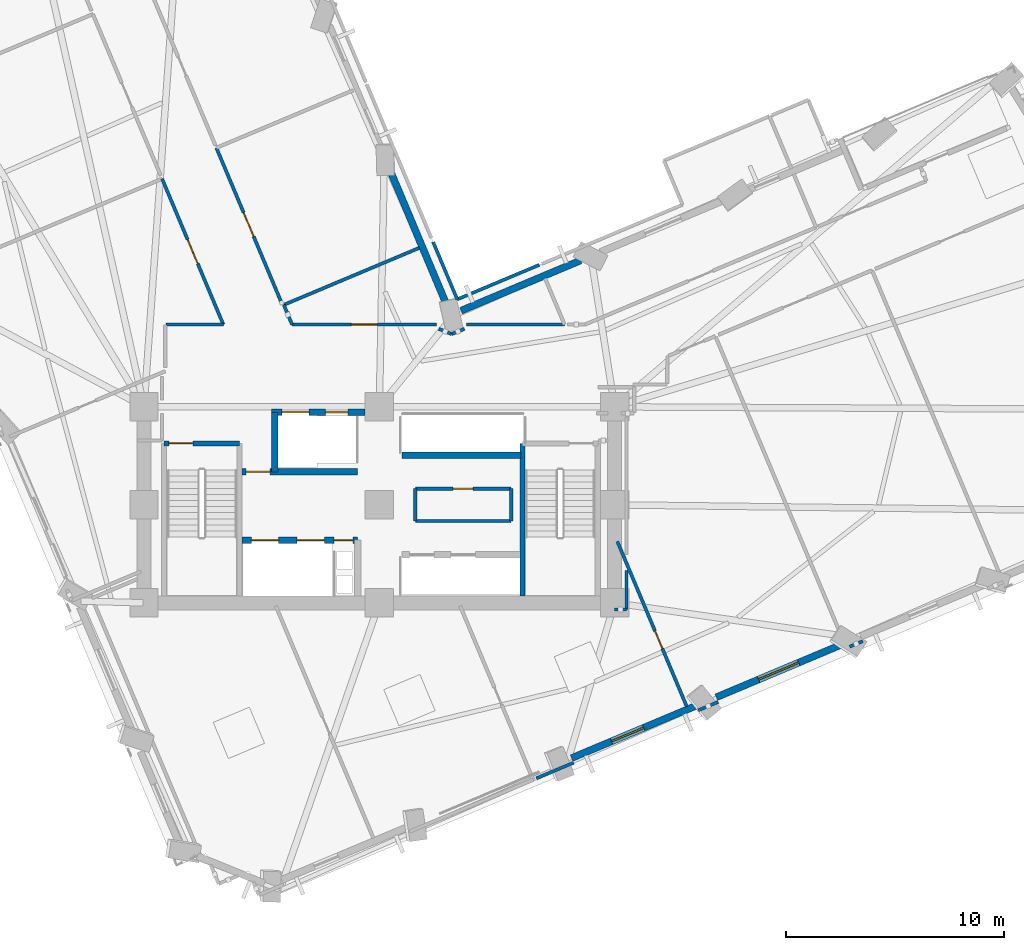
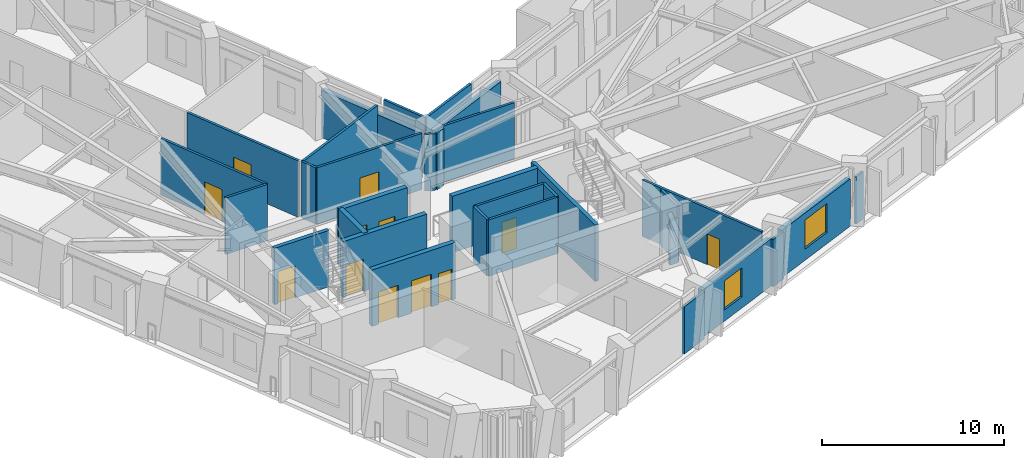
# One storey, part 11 of 18: 32 walls, 12 doors, 2 windows, 14 openings.
"""IFC4 building model written with IfcOpenShell, lengths in metres."""

from ifc_helpers import new_model, si_unit, direction, frame, frame_2d, origin, place, context, subcontext, project, spatial, rectangle, extrude, material, layer, layer_set, type_object, element, fill, save


model = new_model("IFC4")

# Units and contexts
model_context = context("Model", 3, precision=1e-05, world=origin(), true_north=direction((0.0, 1.0)))
body_context = subcontext(model_context, "Body", "Model", "MODEL_VIEW")
ifc_project = project(units=[si_unit("LENGTHUNIT", "METRE"), si_unit("AREAUNIT", "SQUARE_METRE"), si_unit("VOLUMEUNIT", "CUBIC_METRE"), si_unit("PLANEANGLEUNIT", "RADIAN"), si_unit("MASSUNIT", "GRAM", prefix="KILO")], contexts=[model_context])

# Site, building, storey
site_placement = place(None, origin())
site = spatial("IfcSite", under=ifc_project, at=site_placement, CompositionType="ELEMENT")
building_placement = place(site_placement, origin())
building = spatial("IfcBuilding", under=site, at=building_placement, Name="Gaonmaruhae Medical Tower", CompositionType="ELEMENT")
storey_placement = place(building_placement, frame((0.0, 0.0, 120.39990234375)))
storey = spatial("IfcBuildingStorey", under=building, at=storey_placement, Name="L28", CompositionType="ELEMENT", Elevation=120.39990234375)

# Wall, opening, window
ifc_material_1 = material(Name="Precast concrete C45/55", Category="concrete")
ifc_layer_1 = layer(ifc_material_1, 0.320068359375)
ifc_layer_set_1 = layer_set([ifc_layer_1], Name="Precast concrete C45/55")
wall_type_1 = type_object("IfcWallType", Name="EW-320 Lower Precast Masonry-Frame Facade Wall", PredefinedType="SOLIDWALL", material=ifc_layer_set_1)
wall_1_placement = place(storey_placement, frame((39.354248046875, 3.0830078125, 0.0), z_axis=(0.0, 0.0, 1.0), x_axis=(-0.921860032261, -0.387523006956, 0.0)))
wall_1 = element("IfcWall", 1, at=wall_1_placement, inside=storey, type_object=wall_type_1, Name="L28 Precast Masonry-Frame Wall S03-S04", PredefinedType="SOLIDWALL", context=body_context, shape_type="SweptSolid", body=[
    extrude(rectangle(XDim=6.21435546875, YDim=0.320068359375, at=frame_2d((3.107177734375, 0.0))), origin(), (0.0, 0.0, 1.0), 3.1650390625),
])
opening_1_placement = place(wall_1_placement, frame((2.622314453125, 0.0, 0.75)))
opening_1 = element("IfcOpeningElement", 2, at=opening_1_placement, cuts=wall_1, Name="Opening WN-01", PredefinedType="OPENING", context=body_context, shape_type="SweptSolid", body=[
    extrude(rectangle(XDim=1.60009765625, YDim=1.949951171875, at=frame_2d((0.800048828125, 0.97509765625))), frame((0.0, 0.169921875, 0.0), z_axis=(0.0, -1.0, 0.0), x_axis=(1.0, 0.0, 0.0)), (0.0, 0.0, 1.0), 0.340087890625),
])
ifc_material_2 = material(Name="Anodised aluminium and Low-E double glazing", Category="aluminium")
window_type_1 = type_object("IfcWindowType", Name="WN-01 Ward Punched Acoustic Window 1600x1950", PartitioningType="SINGLE_PANEL", PredefinedType="WINDOW", material=ifc_material_2)
window_1_placement = place(opening_1_placement, origin())
window_1 = element("IfcWindow", 3, at=window_1_placement, inside=storey, type_object=window_type_1, Name="L28 Modular Facade Window S03", OverallHeight=1.949951171875, OverallWidth=1.60009765625, PartitioningType="SINGLE_PANEL", PredefinedType="WINDOW", context=body_context, shape_type="SweptSolid", body=[
    extrude(rectangle(XDim=1.60009765625, YDim=1.949951171875, at=frame_2d((0.800048828125, 0.97509765625))), frame((0.0, 0.030029296875, 0.0), z_axis=(0.0, -1.0, 0.0), x_axis=(1.0, 0.0, 0.0)), (0.0, 0.0, 1.0), 0.06005859375),
])
fill(opening_1, window_1)

wall_2_placement = place(storey_placement, frame((45.9921875, 5.873291015625, 0.0), z_axis=(0.0, 0.0, 1.0), x_axis=(-0.921868356039, -0.387503205321, 0.0)))
wall_2 = element("IfcWall", 4, at=wall_2_placement, inside=storey, type_object=wall_type_1, Name="L28 Precast Masonry-Frame Wall S04-S05", PredefinedType="SOLIDWALL", context=body_context, shape_type="SweptSolid", body=[
    extrude(rectangle(XDim=6.208984375, YDim=0.320068359375, at=frame_2d((3.1044921875, 0.0))), origin(), (0.0, 0.0, 1.0), 3.1650390625),
])
opening_2_placement = place(wall_2_placement, frame((2.104736328125, 0.0, 0.75)))
opening_2 = element("IfcOpeningElement", 5, at=opening_2_placement, cuts=wall_2, Name="Opening WN-02", PredefinedType="OPENING", context=body_context, shape_type="SweptSolid", body=[
    extrude(rectangle(XDim=2.0, YDim=1.949951171875, at=frame_2d((1.0, 0.97509765625))), frame((0.0, 0.169921875, 0.0), z_axis=(0.0, -1.0, 0.0), x_axis=(1.0, 0.0, 0.0)), (0.0, 0.0, 1.0), 0.340087890625),
])
window_type_2 = type_object("IfcWindowType", Name="WN-02 Double-Bed Ward Punched Window 2000x1950", PartitioningType="SINGLE_PANEL", PredefinedType="WINDOW", material=ifc_material_2)
window_2_placement = place(opening_2_placement, origin())
window_2 = element("IfcWindow", 6, at=window_2_placement, inside=storey, type_object=window_type_2, Name="L28 Modular Facade Window S04", OverallHeight=1.949951171875, OverallWidth=2.0, PartitioningType="SINGLE_PANEL", PredefinedType="WINDOW", context=body_context, shape_type="SweptSolid", body=[
    extrude(rectangle(XDim=2.0, YDim=1.949951171875, at=frame_2d((1.0, 0.97509765625))), frame((0.0, 0.030029296875, 0.0), z_axis=(0.0, -1.0, 0.0), x_axis=(1.0, 0.0, 0.0)), (0.0, 0.0, 1.0), 0.06005859375),
])
fill(opening_2, window_2)

# Walls
wall_3_placement = place(storey_placement, frame((28.55029296875, 21.212890625, 0.0), z_axis=(0.0, 0.0, 1.0), x_axis=(0.921866530415, 0.387507548444, 0.0)))
element("IfcWall", 7, at=wall_3_placement, inside=storey, type_object=wall_type_1, Name="L28 Precast Masonry-Frame Wall EN03-KN01", PredefinedType="SOLIDWALL", context=body_context, shape_type="SweptSolid", body=[
    extrude(rectangle(XDim=5.9599609375, YDim=0.320068359375, at=frame_2d((2.97998046875, 0.0))), origin(), (0.0, 0.0, 1.0), 3.1650390625),
])
wall_4_placement = place(storey_placement, frame((25.294189453125, 27.656494140625, 0.0), z_axis=(0.0, 0.0, 1.0), x_axis=(0.387511216986, -0.921864988331, 0.0)))
element("IfcWall", 8, at=wall_4_placement, inside=storey, type_object=wall_type_1, Name="L28 Precast Masonry-Frame Wall KN01-NE01", PredefinedType="SOLIDWALL", context=body_context, shape_type="SweptSolid", body=[
    extrude(rectangle(XDim=6.76025390625, YDim=0.320068359375, at=frame_2d((3.380126953125, 0.0))), origin(), (0.0, 0.0, 1.0), 3.1650390625),
])
ifc_material_3 = material(Name="Gypsum board partition", Category="gypsum")
ifc_layer_2 = layer(ifc_material_3, 0.14990234375)
ifc_layer_set_2 = layer_set([ifc_layer_2], Name="Gypsum board partition")
wall_type_2 = type_object("IfcWallType", Name="PW-150 Rated Clinical Corridor Partition", PredefinedType="PARTITIONING", material=ifc_layer_set_2)
wall_5_placement = place(storey_placement, frame((26.449951171875, 11.56005859375, 0.0), z_axis=(0.0, 0.0, 1.0), x_axis=(0.0, 1.0, 0.0)))
element("IfcWall", 9, at=wall_5_placement, inside=storey, type_object=wall_type_2, Name="L28 Interior Partition L28-CS1-1", PredefinedType="PARTITIONING", context=body_context, shape_type="SweptSolid", body=[
    extrude(rectangle(XDim=1.47998046875, YDim=0.14990234375, at=frame_2d((0.739990234375, 0.0))), origin(), (0.0, 0.0, 1.0), 3.780029296875),
])

# Wall, opening, door
wall_6_placement = place(storey_placement, frame((26.449951171875, 13.0400390625, 0.0), z_axis=(0.0, 0.0, 1.0), x_axis=(1.0, 0.0, 0.0)))
wall_6 = element("IfcWall", 10, at=wall_6_placement, inside=storey, type_object=wall_type_2, Name="L28 Interior Partition L28-CS1-2", PredefinedType="PARTITIONING", context=body_context, shape_type="SweptSolid", body=[
    extrude(rectangle(XDim=4.400146484375, YDim=0.14990234375, at=frame_2d((2.2001953125, 0.0))), origin(), (0.0, 0.0, 1.0), 3.780029296875),
])
opening_3_placement = place(wall_6_placement, frame((1.739990234375, 0.0, 0.0)))
opening_3 = element("IfcOpeningElement", 11, at=opening_3_placement, cuts=wall_6, Name="Opening UD-01", PredefinedType="OPENING", context=body_context, shape_type="SweptSolid", body=[
    extrude(rectangle(XDim=0.919921875, YDim=2.10009765625, at=frame_2d((0.4599609375, 1.050048828125))), frame((0.0, 0.0849609375, 0.0), z_axis=(0.0, -1.0, 0.0), x_axis=(1.0, 0.0, 0.0)), (0.0, 0.0, 1.0), 0.169921875),
])
ifc_material_4 = material(Name="Powder-coated steel utility door", Category="steel")
door_type_1 = type_object("IfcDoorType", Name="UD-01 Toilet, Utility & Housekeeping Door 920x2100", OperationType="NOTDEFINED", PredefinedType="DOOR", material=ifc_material_4)
door_1_placement = place(opening_3_placement, origin())
door_1 = element("IfcDoor", 12, at=door_1_placement, inside=storey, type_object=door_type_1, Name="L28 Clean Linen Utility Store Door", OperationType="SINGLE_SWING_RIGHT", OverallHeight=2.10009765625, OverallWidth=0.919921875, PredefinedType="DOOR", context=body_context, shape_type="SweptSolid", body=[
    extrude(rectangle(XDim=0.919921875, YDim=2.10009765625, at=frame_2d((0.4599609375, 1.050048828125))), frame((0.0, 0.02490234375, 0.0), z_axis=(0.0, -1.0, 0.0), x_axis=(1.0, 0.0, 0.0)), (0.0, 0.0, 1.0), 0.050048828125),
])
fill(opening_3, door_1)

# Walls
wall_7_placement = place(storey_placement, frame((30.85009765625, 13.0400390625, 0.0), z_axis=(0.0, 0.0, 1.0), x_axis=(0.0, -1.0, 0.0)))
element("IfcWall", 13, at=wall_7_placement, inside=storey, type_object=wall_type_2, Name="L28 Interior Partition L28-CS1-3", PredefinedType="PARTITIONING", context=body_context, shape_type="SweptSolid", body=[
    extrude(rectangle(XDim=1.47998046875, YDim=0.14990234375, at=frame_2d((0.739990234375, 0.0))), origin(), (0.0, 0.0, 1.0), 3.780029296875),
])
wall_8_placement = place(storey_placement, frame((30.85009765625, 11.56005859375, 0.0), z_axis=(0.0, 0.0, 1.0), x_axis=(-1.0, 0.0, 0.0)))
element("IfcWall", 14, at=wall_8_placement, inside=storey, type_object=wall_type_2, Name="L28 Interior Partition L28-CS1-4", PredefinedType="PARTITIONING", context=body_context, shape_type="SweptSolid", body=[
    extrude(rectangle(XDim=4.400146484375, YDim=0.14990234375, at=frame_2d((2.2001953125, 0.0))), origin(), (0.0, 0.0, 1.0), 3.780029296875),
])

# Wall, opening, door
wall_9_placement = place(storey_placement, frame((35.72509765625, 10.623046875, 0.0), z_axis=(0.0, 0.0, 1.0), x_axis=(0.387581758341, -0.921835332693, 0.0)))
wall_9 = element("IfcWall", 15, at=wall_9_placement, inside=storey, type_object=wall_type_2, Name="L28 Interior Partition L28-SUP03-14", PredefinedType="PARTITIONING", context=body_context, shape_type="SweptSolid", body=[
    extrude(rectangle(XDim=8.222900390625, YDim=0.14990234375, at=frame_2d((4.111328125, 0.0))), origin(), (0.0, 0.0, 1.0), 3.780029296875),
])
opening_4_placement = place(wall_9_placement, frame((4.471923828125, 0.0, 0.0)))
opening_4 = element("IfcOpeningElement", 16, at=opening_4_placement, cuts=wall_9, Name="Opening AD-01", PredefinedType="OPENING", context=body_context, shape_type="SweptSolid", body=[
    extrude(rectangle(XDim=0.860107421875, YDim=2.06005859375, at=frame_2d((0.43017578125, 1.030029296875))), frame((0.0, 0.0849609375, 0.0), z_axis=(0.0, -1.0, 0.0), x_axis=(1.0, 0.0, 0.0)), (0.0, 0.0, 1.0), 0.169921875),
])
ifc_material_5 = material(Name="Powder-coated steel access door", Category="steel")
door_type_2 = type_object("IfcDoorType", Name="AD-01 Riser & Closet Access Fire Door 860x2060", OperationType="NOTDEFINED", PredefinedType="DOOR", material=ifc_material_5)
door_2_placement = place(opening_4_placement, origin())
door_2 = element("IfcDoor", 17, at=door_2_placement, inside=storey, type_object=door_type_2, Name="L28 Clinical Biomedical Charting Office Sliding Door", OperationType="SLIDING_TO_LEFT", OverallHeight=2.06005859375, OverallWidth=0.860107421875, PredefinedType="DOOR", context=body_context, shape_type="SweptSolid", body=[
    extrude(rectangle(XDim=0.860107421875, YDim=2.06005859375, at=frame_2d((0.43017578125, 1.030029296875))), frame((0.0, 0.02490234375, 0.0), z_axis=(0.0, -1.0, 0.0), x_axis=(1.0, 0.0, 0.0)), (0.0, 0.0, 1.0), 0.050048828125),
])
fill(opening_4, door_2)

# Walls
wall_10_placement = place(storey_placement, frame((33.715087890625, 0.462890625, 0.0), z_axis=(0.0, 0.0, 1.0), x_axis=(-0.92185387487, -0.387537654155, 0.0)))
element("IfcWall", 18, at=wall_10_placement, inside=storey, type_object=wall_type_2, Name="L28 Interior Partition L28-SUP03-15", PredefinedType="PARTITIONING", context=body_context, shape_type="SweptSolid", body=[
    extrude(rectangle(XDim=1.849609375, YDim=0.14990234375, at=frame_2d((0.9248046875, 0.0))), origin(), (0.0, 0.0, 1.0), 3.1650390625),
])
wall_11_placement = place(storey_placement, frame((35.60009765625, 7.5, 0.0), z_axis=(0.0, 0.0, 1.0), x_axis=(1.0, 0.0, 0.0)))
element("IfcWall", 19, at=wall_11_placement, inside=storey, type_object=wall_type_2, Name="L28 Interior Partition L28-SUP03-16", PredefinedType="PARTITIONING", context=body_context, shape_type="SweptSolid", body=[
    extrude(rectangle(XDim=0.5498046875, YDim=0.14990234375, at=frame_2d((0.27490234375, 0.0))), origin(), (0.0, 0.0, 1.0), 2.965087890625),
])
wall_12_placement = place(storey_placement, frame((36.14990234375, 7.5, 0.0), z_axis=(0.0, 0.0, 1.0), x_axis=(0.0, 1.0, 0.0)))
element("IfcWall", 20, at=wall_12_placement, inside=storey, type_object=wall_type_2, Name="L28 Interior Partition L28-SUP03-17", PredefinedType="PARTITIONING", context=body_context, shape_type="SweptSolid", body=[
    extrude(rectangle(XDim=1.7900390625, YDim=0.14990234375, at=frame_2d((0.89501953125, 0.0))), origin(), (0.0, 0.0, 1.0), 3.780029296875),
])
wall_13_placement = place(storey_placement, frame((40.35693359375, 3.2548828125, 0.0), z_axis=(0.0, 0.0, 1.0), x_axis=(-0.921987382079, -0.387219921087, 0.0)))
element("IfcWall", 21, at=wall_13_placement, inside=storey, type_object=wall_type_2, Name="L28 Interior Partition L28-SUP04-26", PredefinedType="PARTITIONING", context=body_context, shape_type="SweptSolid", body=[
    extrude(rectangle(XDim=0.9912109375, YDim=0.14990234375, at=frame_2d((0.49560546875, 0.0))), origin(), (0.0, 0.0, 1.0), 3.1650390625),
])
wall_14_placement = place(storey_placement, frame((46.993896484375, 6.0439453125, 0.0), z_axis=(0.0, 0.0, 1.0), x_axis=(-0.922112725335, -0.386921337969, 0.0)))
element("IfcWall", 22, at=wall_14_placement, inside=storey, type_object=wall_type_2, Name="L28 Interior Partition L28-SUP05-32", PredefinedType="PARTITIONING", context=body_context, shape_type="SweptSolid", body=[
    extrude(rectangle(XDim=0.65380859375, YDim=0.14990234375, at=frame_2d((0.326904296875, 0.0))), origin(), (0.0, 0.0, 1.0), 3.1650390625),
])

# Wall, opening, door
wall_15_placement = place(storey_placement, frame((14.826904296875, 27.26806640625, 0.0), z_axis=(0.0, 0.0, 1.0), x_axis=(0.387476197679, -0.921879708114, 0.0)))
wall_15 = element("IfcWall", 23, at=wall_15_placement, inside=storey, type_object=wall_type_2, Name="L28 Interior Partition L28-WOF08-47", PredefinedType="PARTITIONING", context=body_context, shape_type="SweptSolid", body=[
    extrude(rectangle(XDim=7.254638671875, YDim=0.14990234375, at=frame_2d((3.62744140625, 0.0))), origin(), (0.0, 0.0, 1.0), 3.780029296875),
])
opening_5_placement = place(wall_15_placement, frame((3.02734375, 0.0, 0.0)))
opening_5 = element("IfcOpeningElement", 24, at=opening_5_placement, cuts=wall_15, Name="Opening CD-02", PredefinedType="OPENING", context=body_context, shape_type="SweptSolid", body=[
    extrude(rectangle(XDim=1.199951171875, YDim=2.14990234375, at=frame_2d((0.60009765625, 1.074951171875))), frame((0.0, 0.0849609375, 0.0), z_axis=(0.0, -1.0, 0.0), x_axis=(1.0, 0.0, 0.0)), (0.0, 0.0, 1.0), 0.169921875),
])
ifc_material_6 = material(Name="Antimicrobial laminate timber fire door", Category="wood")
door_type_3 = type_object("IfcDoorType", Name="CD-02 Clinical Treatment & Procedure Door 1200x2150", OperationType="NOTDEFINED", PredefinedType="DOOR", material=ifc_material_6)
door_3_placement = place(opening_5_placement, origin())
door_3 = element("IfcDoor", 25, at=door_3_placement, inside=storey, type_object=door_type_3, Name="L28 Ward Physician Reporting Office Door", OperationType="SINGLE_SWING_LEFT", OverallHeight=2.14990234375, OverallWidth=1.199951171875, PredefinedType="DOOR", context=body_context, shape_type="SweptSolid", body=[
    extrude(rectangle(XDim=1.199951171875, YDim=2.14990234375, at=frame_2d((0.60009765625, 1.074951171875))), frame((0.0, 0.02490234375, 0.0), z_axis=(0.0, -1.0, 0.0), x_axis=(1.0, 0.0, 0.0)), (0.0, 0.0, 1.0), 0.050048828125),
])
fill(opening_5, door_3)

# Walls
wall_16_placement = place(storey_placement, frame((17.637939453125, 20.580078125, 0.0), z_axis=(0.0, 0.0, 1.0), x_axis=(-1.0, 0.0, 0.0)))
element("IfcWall", 26, at=wall_16_placement, inside=storey, type_object=wall_type_2, Name="L28 Interior Partition L28-WOF08-48", PredefinedType="PARTITIONING", context=body_context, shape_type="SweptSolid", body=[
    extrude(rectangle(XDim=2.640869140625, YDim=0.14990234375, at=frame_2d((1.3203125, 0.0))), origin(), (0.0, 0.0, 1.0), 3.780029296875),
])
wall_17_placement = place(storey_placement, frame((28.7060546875, 20.382080078125, 0.0), z_axis=(0.0, 0.0, 1.0), x_axis=(-0.923811477415, -0.382847690599, 0.0)))
element("IfcWall", 27, at=wall_17_placement, inside=storey, type_object=wall_type_2, Name="L28 Interior Partition L28-IE01-60", PredefinedType="PARTITIONING", context=body_context, shape_type="SweptSolid", body=[
    extrude(rectangle(XDim=0.6376953125, YDim=0.14990234375, at=frame_2d((0.31884765625, 0.0))), origin(), (0.0, 0.0, 1.0), 3.780029296875),
])
wall_18_placement = place(storey_placement, frame((28.116943359375, 20.137939453125, 0.0), z_axis=(0.0, 0.0, 1.0), x_axis=(-0.923979554509, 0.382441868588, 0.0)))
element("IfcWall", 28, at=wall_18_placement, inside=storey, type_object=wall_type_2, Name="L28 Interior Partition L28-IE01-61", PredefinedType="PARTITIONING", context=body_context, shape_type="SweptSolid", body=[
    extrude(rectangle(XDim=0.638427734375, YDim=0.14990234375, at=frame_2d((0.3193359375, 0.0))), origin(), (0.0, 0.0, 1.0), 3.780029296875),
])

# Wall, opening, door
wall_19_placement = place(storey_placement, frame((27.427978515625, 20.580078125, 0.0), z_axis=(0.0, 0.0, 1.0), x_axis=(-1.0, 0.0, 0.0)))
wall_19 = element("IfcWall", 29, at=wall_19_placement, inside=storey, type_object=wall_type_2, Name="L28 Interior Partition L28-IE01-62", PredefinedType="PARTITIONING", context=body_context, shape_type="SweptSolid", body=[
    extrude(rectangle(XDim=6.633056640625, YDim=0.14990234375, at=frame_2d((3.31640625, 0.0))), origin(), (0.0, 0.0, 1.0), 3.780029296875),
])
opening_6_placement = place(wall_19_placement, frame((2.716552734375, 0.0, 0.0)))
opening_6 = element("IfcOpeningElement", 30, at=opening_6_placement, cuts=wall_19, Name="Opening CD-02", PredefinedType="OPENING", context=body_context, shape_type="SweptSolid", body=[
    extrude(rectangle(XDim=1.199951171875, YDim=2.14990234375, at=frame_2d((0.60009765625, 1.074951171875))), frame((0.0, 0.0849609375, 0.0), z_axis=(0.0, -1.0, 0.0), x_axis=(1.0, 0.0, 0.0)), (0.0, 0.0, 1.0), 0.169921875),
])
door_4_placement = place(opening_6_placement, origin())
door_4 = element("IfcDoor", 31, at=door_4_placement, inside=storey, type_object=door_type_3, Name="L28 Central Clinical Nurse Station Door", OperationType="SINGLE_SWING_LEFT", OverallHeight=2.14990234375, OverallWidth=1.199951171875, PredefinedType="DOOR", context=body_context, shape_type="SweptSolid", body=[
    extrude(rectangle(XDim=1.199951171875, YDim=2.14990234375, at=frame_2d((0.60009765625, 1.074951171875))), frame((0.0, 0.02490234375, 0.0), z_axis=(0.0, -1.0, 0.0), x_axis=(1.0, 0.0, 0.0)), (0.0, 0.0, 1.0), 0.050048828125),
])
fill(opening_6, door_4)

# Walls
wall_20_placement = place(storey_placement, frame((20.794921875, 20.580078125, 0.0), z_axis=(0.0, 0.0, 1.0), x_axis=(-0.387342801036, 0.921935764837, 0.0)))
element("IfcWall", 32, at=wall_20_placement, inside=storey, type_object=wall_type_2, Name="L28 Interior Partition L28-IE01-63", PredefinedType="PARTITIONING", context=body_context, shape_type="SweptSolid", body=[
    extrude(rectangle(XDim=0.978271484375, YDim=0.14990234375, at=frame_2d((0.4892578125, 0.0))), origin(), (0.0, 0.0, 1.0), 3.780029296875),
])
wall_21_placement = place(storey_placement, frame((20.416015625, 21.48193359375, 0.0), z_axis=(0.0, 0.0, 1.0), x_axis=(0.921833906967, 0.38758514931, 0.0)))
element("IfcWall", 33, at=wall_21_placement, inside=storey, type_object=wall_type_2, Name="L28 Interior Partition L28-IE01-64", PredefinedType="PARTITIONING", context=body_context, shape_type="SweptSolid", body=[
    extrude(rectangle(XDim=6.755126953125, YDim=0.14990234375, at=frame_2d((3.37744140625, 0.0))), origin(), (0.0, 0.0, 1.0), 3.780029296875),
])
wall_22_placement = place(storey_placement, frame((27.27392578125, 24.364990234375, 0.0), z_axis=(0.0, 0.0, 1.0), x_axis=(0.387605178951, -0.921825485247, 0.0)))
element("IfcWall", 34, at=wall_22_placement, inside=storey, type_object=wall_type_2, Name="L28 Interior Partition L28-IE01-65", PredefinedType="PARTITIONING", context=body_context, shape_type="SweptSolid", body=[
    extrude(rectangle(XDim=2.850830078125, YDim=0.14990234375, at=frame_2d((1.42529296875, 0.0))), origin(), (0.0, 0.0, 1.0), 3.780029296875),
])
wall_23_placement = place(storey_placement, frame((28.37890625, 21.737060546875, 0.0), z_axis=(0.0, 0.0, 1.0), x_axis=(0.921774717682, 0.387725895244, 0.0)))
element("IfcWall", 35, at=wall_23_placement, inside=storey, type_object=wall_type_2, Name="L28 Interior Partition L28-IE01-66", PredefinedType="PARTITIONING", context=body_context, shape_type="SweptSolid", body=[
    extrude(rectangle(XDim=4.087890625, YDim=0.14990234375, at=frame_2d((2.0439453125, 0.0))), origin(), (0.0, 0.0, 1.0), 3.780029296875),
])
wall_24_placement = place(storey_placement, frame((33.300048828125, 20.580078125, 0.0), z_axis=(0.0, 0.0, 1.0), x_axis=(-1.0, 0.0, 0.0)))
element("IfcWall", 36, at=wall_24_placement, inside=storey, type_object=wall_type_2, Name="L28 Interior Partition L28-IE01-68", PredefinedType="PARTITIONING", context=body_context, shape_type="SweptSolid", body=[
    extrude(rectangle(XDim=4.4951171875, YDim=0.14990234375, at=frame_2d((2.24755859375, 0.0))), origin(), (0.0, 0.0, 1.0), 3.780029296875),
])

# Wall, opening, door
wall_25_placement = place(storey_placement, frame((20.279052734375, 21.652099609375, 0.0), z_axis=(0.0, 0.0, 1.0), x_axis=(-0.38757659616, 0.921837503093, 0.0)))
wall_25 = element("IfcWall", 37, at=wall_25_placement, inside=storey, type_object=wall_type_2, Name="L28 Interior Partition L28-IN01-81", PredefinedType="PARTITIONING", context=body_context, shape_type="SweptSolid", body=[
    extrude(rectangle(XDim=7.634521484375, YDim=0.14990234375, at=frame_2d((3.8173828125, 0.0))), origin(), (0.0, 0.0, 1.0), 3.780029296875),
])
opening_7_placement = place(wall_25_placement, frame((3.21728515625, 0.0, 0.0)))
opening_7 = element("IfcOpeningElement", 38, at=opening_7_placement, cuts=wall_25, Name="Opening CD-02", PredefinedType="OPENING", context=body_context, shape_type="SweptSolid", body=[
    extrude(rectangle(XDim=1.199951171875, YDim=2.14990234375, at=frame_2d((0.60009765625, 1.074951171875))), frame((0.0, 0.0849609375, 0.0), z_axis=(0.0, -1.0, 0.0), x_axis=(1.0, 0.0, 0.0)), (0.0, 0.0, 1.0), 0.169921875),
])
door_5_placement = place(opening_7_placement, origin())
door_5 = element("IfcDoor", 39, at=door_5_placement, inside=storey, type_object=door_type_3, Name="L28 Physician Consultation Office Door", OperationType="SINGLE_SWING_LEFT", OverallHeight=2.14990234375, OverallWidth=1.199951171875, PredefinedType="DOOR", context=body_context, shape_type="SweptSolid", body=[
    extrude(rectangle(XDim=1.199951171875, YDim=2.14990234375, at=frame_2d((0.60009765625, 1.074951171875))), frame((0.0, 0.02490234375, 0.0), z_axis=(0.0, -1.0, 0.0), x_axis=(1.0, 0.0, 0.0)), (0.0, 0.0, 1.0), 0.050048828125),
])
fill(opening_7, door_5)

ifc_material_7 = material(Name="Concrete C50/60", Category="concrete")
ifc_layer_3 = layer(ifc_material_7, 0.239990234375)
ifc_layer_set_3 = layer_set([ifc_layer_3], Name="Concrete C50/60")
wall_type_3 = type_object("IfcWallType", Name="SW-240 Dogleg Stair Tight Shaft Wall", PredefinedType="SOLIDWALL", material=ifc_layer_set_3)
wall_26_placement = place(storey_placement, frame((14.919921875, 15.1201171875, 0.0), z_axis=(0.0, 0.0, 1.0), x_axis=(1.0, 0.0, 0.0)))
wall_26 = element("IfcWall", 40, at=wall_26_placement, inside=storey, type_object=wall_type_3, Name="L28 ST-01 Stair Shaft Wall SHW-ST-01-N", PredefinedType="SOLIDWALL", context=body_context, shape_type="SweptSolid", body=[
    extrude(rectangle(XDim=3.4599609375, YDim=0.239990234375, at=frame_2d((1.72998046875, 0.0))), origin(), (0.0, 0.0, 1.0), 3.780029296875),
])
opening_8_placement = place(wall_26_placement, frame((0.219970703125, 0.0, 0.0)))
opening_8 = element("IfcOpeningElement", 41, at=opening_8_placement, cuts=wall_26, Name="Opening FD-01", PredefinedType="OPENING", context=body_context, shape_type="SweptSolid", body=[
    extrude(rectangle(XDim=1.10009765625, YDim=2.14990234375, at=frame_2d((0.550048828125, 1.074951171875))), frame((0.0, 0.1298828125, 0.0), z_axis=(0.0, -1.0, 0.0), x_axis=(1.0, 0.0, 0.0)), (0.0, 0.0, 1.0), 0.260009765625),
])
ifc_material_8 = material(Name="Powder-coated steel fire door", Category="steel")
door_type_4 = type_object("IfcDoorType", Name="FD-01 Escape Stair Protected Fire Door 1100x2150", OperationType="NOTDEFINED", PredefinedType="DOOR", material=ifc_material_8)
door_6_placement = place(opening_8_placement, origin())
door_6 = element("IfcDoor", 42, at=door_6_placement, inside=storey, type_object=door_type_4, Name="L28 ST-01 Protected Escape Stair Door", OperationType="SINGLE_SWING_RIGHT", OverallHeight=2.14990234375, OverallWidth=1.10009765625, PredefinedType="DOOR", context=body_context, shape_type="SweptSolid", body=[
    extrude(rectangle(XDim=1.10009765625, YDim=2.14990234375, at=frame_2d((0.550048828125, 1.074951171875))), frame((0.0, 0.02490234375, 0.0), z_axis=(0.0, -1.0, 0.0), x_axis=(1.0, 0.0, 0.0)), (0.0, 0.0, 1.0), 0.050048828125),
])
fill(opening_8, door_6)

# Wall
wall_27_placement = place(storey_placement, frame((31.3701171875, 8.125, 0.0), z_axis=(0.0, 0.0, 1.0), x_axis=(0.0, 1.0, 0.0)))
element("IfcWall", 43, at=wall_27_placement, inside=storey, type_object=wall_type_3, Name="L28 ST-02 Stair Shaft Wall SHW-ST-02-W", PredefinedType="SOLIDWALL", context=body_context, shape_type="SweptSolid", body=[
    extrude(rectangle(XDim=6.9951171875, YDim=0.239990234375, at=frame_2d((3.49755859375, 0.0))), origin(), (0.0, 0.0, 1.0), 3.780029296875),
])

# Wall, openings, doors
ifc_layer_4 = layer(ifc_material_7, 0.300048828125)
ifc_layer_set_4 = layer_set([ifc_layer_4], Name="Concrete C50/60")
wall_type_4 = type_object("IfcWallType", Name="SW-300 Stair & Lift Hoistway Shaft Wall", PredefinedType="SOLIDWALL", material=ifc_layer_set_4)
wall_28_placement = place(storey_placement, frame((19.85009765625, 16.550048828125, 0.0), z_axis=(0.0, 0.0, 1.0), x_axis=(1.0, 0.0, 0.0)))
wall_28 = element("IfcWall", 44, at=wall_28_placement, inside=storey, type_object=wall_type_4, Name="L28 Core Shear Wall CSW-NB", PredefinedType="SOLIDWALL", context=body_context, shape_type="SweptSolid", body=[
    extrude(rectangle(XDim=4.2998046875, YDim=0.300048828125, at=frame_2d((2.14990234375, 0.0))), origin(), (0.0, 0.0, 1.0), 3.780029296875),
])
opening_9_placement = place(wall_28_placement, frame((0.47509765625, 0.0, 0.0)))
opening_9 = element("IfcOpeningElement", 45, at=opening_9_placement, cuts=wall_28, Name="Opening LD-F1", PredefinedType="OPENING", context=body_context, shape_type="SweptSolid", body=[
    extrude(rectangle(XDim=1.25, YDim=2.179931640625, at=frame_2d((0.625, 1.08984375))), frame((0.0, 0.16015625, 0.0), z_axis=(0.0, -1.0, 0.0), x_axis=(1.0, 0.0, 0.0)), (0.0, 0.0, 1.0), 0.320068359375),
])
opening_10_placement = place(wall_28_placement, frame((2.489990234375, 0.0, 0.0)))
opening_10 = element("IfcOpeningElement", 46, at=opening_10_placement, cuts=wall_28, Name="Opening LD-S1", PredefinedType="OPENING", context=body_context, shape_type="SweptSolid", body=[
    extrude(rectangle(XDim=1.02001953125, YDim=2.1201171875, at=frame_2d((0.510009765625, 1.06005859375))), frame((0.0, 0.16015625, 0.0), z_axis=(0.0, -1.0, 0.0), x_axis=(1.0, 0.0, 0.0)), (0.0, 0.0, 1.0), 0.320068359375),
])
ifc_material_9 = material(Name="Brushed stainless steel 316L landing door", Category="steel")
door_type_5 = type_object("IfcDoorType", Name="LD-F1 Firefighting & Bed Lift Sliding Landing Door 1250x2180", OperationType="NOTDEFINED", PredefinedType="DOOR", material=ifc_material_9)
door_7_placement = place(opening_9_placement, origin())
door_7 = element("IfcDoor", 47, at=door_7_placement, inside=storey, type_object=door_type_5, Name="L28 Service/Bed Lift Landing Door BDL-01", OperationType="DOUBLE_DOOR_SLIDING", OverallHeight=2.179931640625, OverallWidth=1.25, PredefinedType="DOOR", context=body_context, shape_type="SweptSolid", body=[
    extrude(rectangle(XDim=1.25, YDim=2.179931640625, at=frame_2d((0.625, 1.08984375))), frame((0.0, 0.02490234375, 0.0), z_axis=(0.0, -1.0, 0.0), x_axis=(1.0, 0.0, 0.0)), (0.0, 0.0, 1.0), 0.050048828125),
])
fill(opening_9, door_7)
ifc_material_10 = material(Name="Brushed stainless steel 304 landing door", Category="steel")
door_type_6 = type_object("IfcDoorType", Name="LD-S1 Service Lift Sliding Landing Door 1020x2120", OperationType="NOTDEFINED", PredefinedType="DOOR", material=ifc_material_10)
door_8_placement = place(opening_10_placement, origin())
door_8 = element("IfcDoor", 48, at=door_8_placement, inside=storey, type_object=door_type_6, Name="L28 Service/Bed Lift Landing Door SVL-01", OperationType="SLIDING_TO_LEFT", OverallHeight=2.1201171875, OverallWidth=1.02001953125, PredefinedType="DOOR", context=body_context, shape_type="SweptSolid", body=[
    extrude(rectangle(XDim=1.02001953125, YDim=2.1201171875, at=frame_2d((0.510009765625, 1.06005859375))), frame((0.0, 0.02490234375, 0.0), z_axis=(0.0, -1.0, 0.0), x_axis=(1.0, 0.0, 0.0)), (0.0, 0.0, 1.0), 0.050048828125),
])
fill(opening_10, door_8)

wall_29_placement = place(storey_placement, frame((18.5, 10.679931640625, 0.0), z_axis=(0.0, 0.0, 1.0), x_axis=(1.0, 0.0, 0.0)))
wall_29 = element("IfcWall", 49, at=wall_29_placement, inside=storey, type_object=wall_type_4, Name="L28 Shaft Enclosure Wall SHW-FFN", PredefinedType="SOLIDWALL", context=body_context, shape_type="SweptSolid", body=[
    extrude(rectangle(XDim=5.300048828125, YDim=0.300048828125, at=frame_2d((2.64990234375, 0.0))), origin(), (0.0, 0.0, 1.0), 3.780029296875),
])
opening_11_placement = place(wall_29_placement, frame((4.219970703125, 0.0, 0.0)))
opening_11 = element("IfcOpeningElement", 50, at=opening_11_placement, cuts=wall_29, Name="Opening AD-01", PredefinedType="OPENING", context=body_context, shape_type="SweptSolid", body=[
    extrude(rectangle(XDim=0.860107421875, YDim=2.06005859375, at=frame_2d((0.43017578125, 1.030029296875))), frame((0.0, 0.16015625, 0.0), z_axis=(0.0, -1.0, 0.0), x_axis=(1.0, 0.0, 0.0)), (0.0, 0.0, 1.0), 0.320068359375),
])
opening_12_placement = place(wall_29_placement, frame((0.425048828125, 0.0, 0.0)))
opening_12 = element("IfcOpeningElement", 51, at=opening_12_placement, cuts=wall_29, Name="Opening LD-F1", PredefinedType="OPENING", context=body_context, shape_type="SweptSolid", body=[
    extrude(rectangle(XDim=1.25, YDim=2.179931640625, at=frame_2d((0.625, 1.08984375))), frame((0.0, 0.16015625, 0.0), z_axis=(0.0, -1.0, 0.0), x_axis=(1.0, 0.0, 0.0)), (0.0, 0.0, 1.0), 0.320068359375),
])
opening_13_placement = place(wall_29_placement, frame((2.52490234375, 0.0, 0.0)))
opening_13 = element("IfcOpeningElement", 52, at=opening_13_placement, cuts=wall_29, Name="Opening LD-F1", PredefinedType="OPENING", context=body_context, shape_type="SweptSolid", body=[
    extrude(rectangle(XDim=1.25, YDim=2.179931640625, at=frame_2d((0.625, 1.08984375))), frame((0.0, 0.16015625, 0.0), z_axis=(0.0, -1.0, 0.0), x_axis=(1.0, 0.0, 0.0)), (0.0, 0.0, 1.0), 0.320068359375),
])
door_9_placement = place(opening_11_placement, origin())
door_9 = element("IfcDoor", 53, at=door_9_placement, inside=storey, type_object=door_type_2, Name="L28 Medical Gas and MEP Riser Access Door", OperationType="SINGLE_SWING_RIGHT", OverallHeight=2.06005859375, OverallWidth=0.860107421875, PredefinedType="DOOR", context=body_context, shape_type="SweptSolid", body=[
    extrude(rectangle(XDim=0.860107421875, YDim=2.06005859375, at=frame_2d((0.43017578125, 1.030029296875))), frame((0.0, 0.02490234375, 0.0), z_axis=(0.0, -1.0, 0.0), x_axis=(1.0, 0.0, 0.0)), (0.0, 0.0, 1.0), 0.050048828125),
])
fill(opening_11, door_9)
door_10_placement = place(opening_12_placement, origin())
door_10 = element("IfcDoor", 54, at=door_10_placement, inside=storey, type_object=door_type_5, Name="L28 Firefighting Lift Landing Door FFL-01", OperationType="DOUBLE_DOOR_SLIDING", OverallHeight=2.179931640625, OverallWidth=1.25, PredefinedType="DOOR", context=body_context, shape_type="SweptSolid", body=[
    extrude(rectangle(XDim=1.25, YDim=2.179931640625, at=frame_2d((0.625, 1.08984375))), frame((0.0, 0.02490234375, 0.0), z_axis=(0.0, -1.0, 0.0), x_axis=(1.0, 0.0, 0.0)), (0.0, 0.0, 1.0), 0.050048828125),
])
fill(opening_12, door_10)
door_11_placement = place(opening_13_placement, origin())
door_11 = element("IfcDoor", 55, at=door_11_placement, inside=storey, type_object=door_type_5, Name="L28 Firefighting Lift Landing Door FFL-02", OperationType="DOUBLE_DOOR_SLIDING", OverallHeight=2.179931640625, OverallWidth=1.25, PredefinedType="DOOR", context=body_context, shape_type="SweptSolid", body=[
    extrude(rectangle(XDim=1.25, YDim=2.179931640625, at=frame_2d((0.625, 1.08984375))), frame((0.0, 0.02490234375, 0.0), z_axis=(0.0, -1.0, 0.0), x_axis=(1.0, 0.0, 0.0)), (0.0, 0.0, 1.0), 0.050048828125),
])
fill(opening_13, door_11)

# Wall, opening, door
wall_30_placement = place(storey_placement, frame((18.5, 13.820068359375, 0.0), z_axis=(0.0, 0.0, 1.0), x_axis=(1.0, 0.0, 0.0)))
wall_30 = element("IfcWall", 56, at=wall_30_placement, inside=storey, type_object=wall_type_4, Name="L28 Shaft Enclosure Wall SHW-FFL", PredefinedType="SOLIDWALL", context=body_context, shape_type="SweptSolid", body=[
    extrude(rectangle(XDim=5.300048828125, YDim=0.300048828125, at=frame_2d((2.64990234375, 0.0))), origin(), (0.0, 0.0, 1.0), 3.780029296875),
])
opening_14_placement = place(wall_30_placement, frame((0.179931640625, 0.0, 0.0)))
opening_14 = element("IfcOpeningElement", 57, at=opening_14_placement, cuts=wall_30, Name="Opening FD-01", PredefinedType="OPENING", context=body_context, shape_type="SweptSolid", body=[
    extrude(rectangle(XDim=1.10009765625, YDim=2.14990234375, at=frame_2d((0.550048828125, 1.074951171875))), frame((0.0, 0.16015625, 0.0), z_axis=(0.0, -1.0, 0.0), x_axis=(1.0, 0.0, 0.0)), (0.0, 0.0, 1.0), 0.320068359375),
])
door_12_placement = place(opening_14_placement, origin())
door_12 = element("IfcDoor", 58, at=door_12_placement, inside=storey, type_object=door_type_4, Name="L28 Firefighting Lobby Smoke Door", OperationType="SINGLE_SWING_LEFT", OverallHeight=2.14990234375, OverallWidth=1.10009765625, PredefinedType="DOOR", context=body_context, shape_type="SweptSolid", body=[
    extrude(rectangle(XDim=1.10009765625, YDim=2.14990234375, at=frame_2d((0.550048828125, 1.074951171875))), frame((0.0, 0.02490234375, 0.0), z_axis=(0.0, -1.0, 0.0), x_axis=(1.0, 0.0, 0.0)), (0.0, 0.0, 1.0), 0.050048828125),
])
fill(opening_14, door_12)

# Walls
wall_31_placement = place(storey_placement, frame((20.0, 13.820068359375, 0.0), z_axis=(0.0, 0.0, 1.0), x_axis=(0.0, 1.0, 0.0)))
element("IfcWall", 59, at=wall_31_placement, inside=storey, type_object=wall_type_4, Name="L28 Shaft Enclosure Wall SHW-BDW", PredefinedType="SOLIDWALL", context=body_context, shape_type="SweptSolid", body=[
    extrude(rectangle(XDim=2.72998046875, YDim=0.300048828125, at=frame_2d((1.364990234375, 0.0))), origin(), (0.0, 0.0, 1.0), 3.780029296875),
])
wall_32_placement = place(storey_placement, frame((25.85009765625, 14.580078125, 0.0), z_axis=(0.0, 0.0, 1.0), x_axis=(1.0, 0.0, 0.0)))
element("IfcWall", 60, at=wall_32_placement, inside=storey, type_object=wall_type_4, Name="L28 Shaft Enclosure Wall SHW-PLN", PredefinedType="SOLIDWALL", context=body_context, shape_type="SweptSolid", body=[
    extrude(rectangle(XDim=5.449951171875, YDim=0.300048828125, at=frame_2d((2.72509765625, 0.0))), origin(), (0.0, 0.0, 1.0), 3.780029296875),
])

save(model, "model.ifc")
